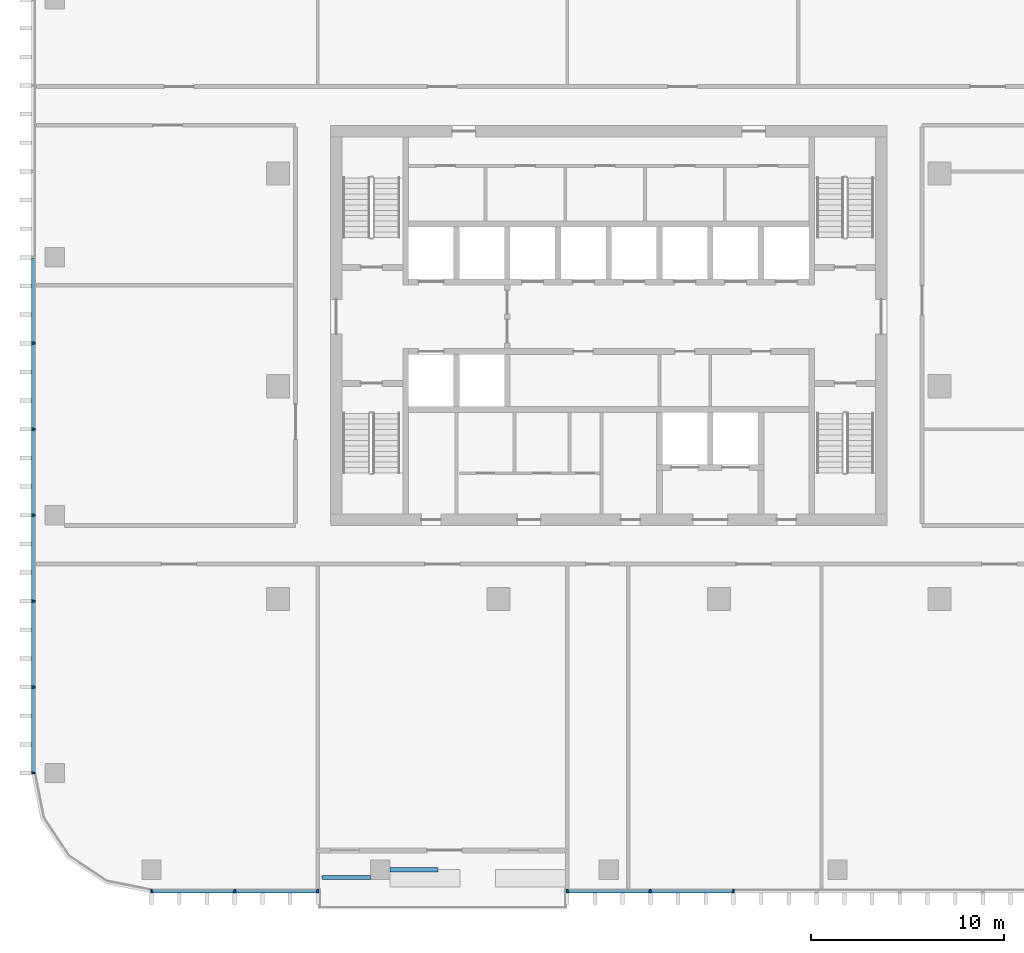
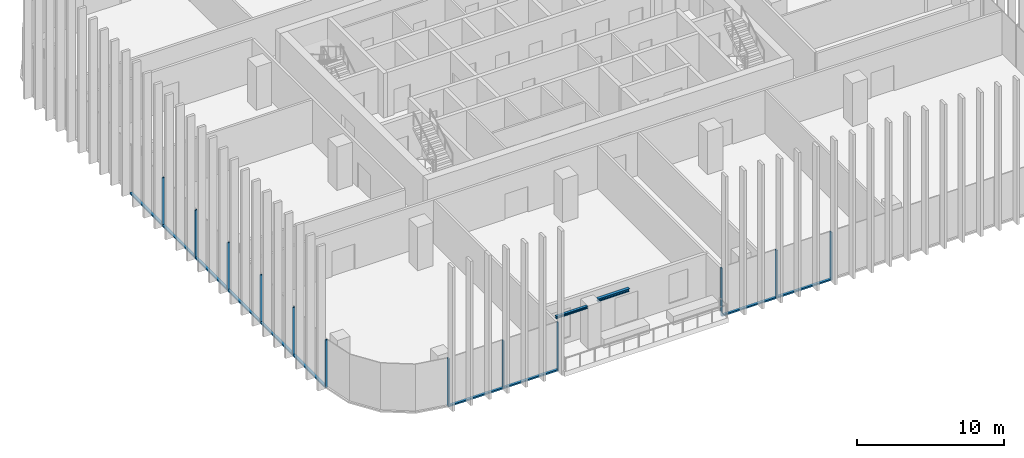
# One storey, part 2 of 16: 22 members, 2 beams, 3 elements without a shape of their own.
"""IFC4 building model written with IfcOpenShell, lengths in metres."""

from ifc_helpers import new_model, si_unit, direction, frame, origin, origin_2d, place, context, subcontext, project, spatial, rectangle, i_section, extrude, material, material_profile, profile_set, type_object, element, aggregate, save


model = new_model("IFC4")

# Units and contexts
model_context = context("Model", 3, precision=1e-05, world=origin(), true_north=direction((0.0, 1.0)))
body_context = subcontext(model_context, "Body", "Model", "MODEL_VIEW")
ifc_project = project(units=[si_unit("LENGTHUNIT", "METRE"), si_unit("AREAUNIT", "SQUARE_METRE"), si_unit("VOLUMEUNIT", "CUBIC_METRE"), si_unit("PLANEANGLEUNIT", "RADIAN"), si_unit("MASSUNIT", "GRAM", prefix="KILO")], contexts=[model_context])

# Site, building, storey
site_placement = place(None, origin())
site = spatial("IfcSite", under=ifc_project, at=site_placement, CompositionType="ELEMENT")
building_placement = place(site_placement, origin())
building = spatial("IfcBuilding", under=site, at=building_placement, Name="Mopane Tessera Tower", CompositionType="ELEMENT")
storey_placement = place(building_placement, frame((0.0, 0.0, 291.39990234375)))
storey = spatial("IfcBuildingStorey", under=building, at=storey_placement, Name="L63", CompositionType="ELEMENT", Elevation=291.39990234375)

# Curtain wall, members
ifc_material_1 = material(Name="Aluminium frame", Category="aluminium")
curtain_wall_type = type_object("IfcCurtainWallType", Name="Unitised curtain wall", PredefinedType="NOTDEFINED", material=ifc_material_1)
curtain_wall_1_placement = place(storey_placement, origin())
curtain_wall_1 = element("IfcCurtainWall", 1, at=curtain_wall_1_placement, inside=storey, type_object=curtain_wall_type, Name="e:cw:L63:S:0", PredefinedType="NOTDEFINED")
ifc_material_2 = material(Name="Aluminium frame", Category="aluminium")
ifc_material_profile_1 = material_profile(ifc_material_2, rectangle(XDim=0.10009765625, YDim=0.199951171875, at=origin_2d()))
ifc_profile_set_1 = profile_set([ifc_material_profile_1], Name="Aluminium frame")
member_type_1 = type_object("IfcMemberType", Name="Aluminium mullion 100 x 200", PredefinedType="MULLION", material=ifc_profile_set_1)
member_1_placement = place(storey_placement, frame((-23.64990234375, -26.10009765625, -0.39990234375), z_axis=(0.0, 0.0, 1.0), x_axis=(1.0, 0.0, 0.0)))
member_1 = element("IfcMember", 2, at=member_1_placement, type_object=member_type_1, Name="e:cw:L63:S:0:mu0", PredefinedType="MULLION", context=body_context, shape_type="SweptSolid", body=[
    extrude(rectangle(XDim=0.10009765625, YDim=0.199951171875, at=origin_2d()), origin(), (0.0, 0.0, 1.0), 4.0),
])
member_2_placement = place(storey_placement, frame((-19.35009765625, -26.10009765625, -0.39990234375), z_axis=(0.0, 0.0, 1.0), x_axis=(1.0, 0.0, 0.0)))
member_2 = element("IfcMember", 3, at=member_2_placement, type_object=member_type_1, Name="e:cw:L63:S:0:mu1", PredefinedType="MULLION", context=body_context, shape_type="SweptSolid", body=[
    extrude(rectangle(XDim=0.10009765625, YDim=0.199951171875, at=origin_2d()), origin(), (0.0, 0.0, 1.0), 4.0),
])
member_3_placement = place(storey_placement, frame((-15.050048828125, -26.10009765625, -0.39990234375), z_axis=(0.0, 0.0, 1.0), x_axis=(1.0, 0.0, 0.0)))
member_3 = element("IfcMember", 4, at=member_3_placement, type_object=member_type_1, Name="e:cw:L63:S:0:mu2", PredefinedType="MULLION", context=body_context, shape_type="SweptSolid", body=[
    extrude(rectangle(XDim=0.10009765625, YDim=0.199951171875, at=origin_2d()), origin(), (0.0, 0.0, 1.0), 4.0),
])

curtain_wall_2_placement = place(storey_placement, origin())
curtain_wall_2 = element("IfcCurtainWall", 5, at=curtain_wall_2_placement, inside=storey, type_object=curtain_wall_type, Name="e:cw:L63:S:5", PredefinedType="NOTDEFINED")
member_4_placement = place(storey_placement, frame((-2.14990234375, -26.10009765625, -0.39990234375), z_axis=(0.0, 0.0, 1.0), x_axis=(1.0, 0.0, 0.0)))
member_4 = element("IfcMember", 6, at=member_4_placement, type_object=member_type_1, Name="e:cw:L63:S:5:mu5", PredefinedType="MULLION", context=body_context, shape_type="SweptSolid", body=[
    extrude(rectangle(XDim=0.10009765625, YDim=0.199951171875, at=origin_2d()), origin(), (0.0, 0.0, 1.0), 4.0),
])
member_5_placement = place(storey_placement, frame((2.14990234375, -26.10009765625, -0.39990234375), z_axis=(0.0, 0.0, 1.0), x_axis=(1.0, 0.0, 0.0)))
member_5 = element("IfcMember", 7, at=member_5_placement, type_object=member_type_1, Name="e:cw:L63:S:5:mu6", PredefinedType="MULLION", context=body_context, shape_type="SweptSolid", body=[
    extrude(rectangle(XDim=0.10009765625, YDim=0.199951171875, at=origin_2d()), origin(), (0.0, 0.0, 1.0), 4.0),
])
member_6_placement = place(storey_placement, frame((6.449951171875, -26.10009765625, -0.39990234375), z_axis=(0.0, 0.0, 1.0), x_axis=(1.0, 0.0, 0.0)))
member_6 = element("IfcMember", 8, at=member_6_placement, type_object=member_type_1, Name="e:cw:L63:S:5:mu7", PredefinedType="MULLION", context=body_context, shape_type="SweptSolid", body=[
    extrude(rectangle(XDim=0.10009765625, YDim=0.199951171875, at=origin_2d()), origin(), (0.0, 0.0, 1.0), 4.0),
])

curtain_wall_3_placement = place(storey_placement, origin())
curtain_wall_3 = element("IfcCurtainWall", 9, at=curtain_wall_3_placement, inside=storey, type_object=curtain_wall_type, Name="e:cw:L63:W:0", PredefinedType="NOTDEFINED")
member_7_placement = place(storey_placement, frame((-29.75, 2.22216796875, -0.39990234375), z_axis=(0.0, 0.0, 1.0), x_axis=(0.0, -1.0, 0.0)))
member_7 = element("IfcMember", 10, at=member_7_placement, type_object=member_type_1, Name="e:cw:L63:W:0:mu4", PredefinedType="MULLION", context=body_context, shape_type="SweptSolid", body=[
    extrude(rectangle(XDim=0.10009765625, YDim=0.199951171875, at=origin_2d()), origin(), (0.0, 0.0, 1.0), 4.0),
])
member_8_placement = place(storey_placement, frame((-29.75, -2.22216796875, -0.39990234375), z_axis=(0.0, 0.0, 1.0), x_axis=(0.0, -1.0, 0.0)))
member_8 = element("IfcMember", 11, at=member_8_placement, type_object=member_type_1, Name="e:cw:L63:W:0:mu5", PredefinedType="MULLION", context=body_context, shape_type="SweptSolid", body=[
    extrude(rectangle(XDim=0.10009765625, YDim=0.199951171875, at=origin_2d()), origin(), (0.0, 0.0, 1.0), 4.0),
])
member_9_placement = place(storey_placement, frame((-29.75, -6.666748046875, -0.39990234375), z_axis=(0.0, 0.0, 1.0), x_axis=(0.0, -1.0, 0.0)))
member_9 = element("IfcMember", 12, at=member_9_placement, type_object=member_type_1, Name="e:cw:L63:W:0:mu6", PredefinedType="MULLION", context=body_context, shape_type="SweptSolid", body=[
    extrude(rectangle(XDim=0.10009765625, YDim=0.199951171875, at=origin_2d()), origin(), (0.0, 0.0, 1.0), 4.0),
])
member_10_placement = place(storey_placement, frame((-29.75, -11.111083984375, -0.39990234375), z_axis=(0.0, 0.0, 1.0), x_axis=(0.0, -1.0, 0.0)))
member_10 = element("IfcMember", 13, at=member_10_placement, type_object=member_type_1, Name="e:cw:L63:W:0:mu7", PredefinedType="MULLION", context=body_context, shape_type="SweptSolid", body=[
    extrude(rectangle(XDim=0.10009765625, YDim=0.199951171875, at=origin_2d()), origin(), (0.0, 0.0, 1.0), 4.0),
])
member_11_placement = place(storey_placement, frame((-29.75, -15.5556640625, -0.39990234375), z_axis=(0.0, 0.0, 1.0), x_axis=(0.0, -1.0, 0.0)))
member_11 = element("IfcMember", 14, at=member_11_placement, type_object=member_type_1, Name="e:cw:L63:W:0:mu8", PredefinedType="MULLION", context=body_context, shape_type="SweptSolid", body=[
    extrude(rectangle(XDim=0.10009765625, YDim=0.199951171875, at=origin_2d()), origin(), (0.0, 0.0, 1.0), 4.0),
])
member_12_placement = place(storey_placement, frame((-29.75, -20.0, -0.39990234375), z_axis=(0.0, 0.0, 1.0), x_axis=(0.0, -1.0, 0.0)))
member_12 = element("IfcMember", 15, at=member_12_placement, type_object=member_type_1, Name="e:cw:L63:W:0:mu9", PredefinedType="MULLION", context=body_context, shape_type="SweptSolid", body=[
    extrude(rectangle(XDim=0.10009765625, YDim=0.199951171875, at=origin_2d()), origin(), (0.0, 0.0, 1.0), 4.0),
])

# Member
ifc_material_3 = material(Name="Aluminium frame", Category="aluminium")
ifc_material_profile_2 = material_profile(ifc_material_3, rectangle(XDim=0.199951171875, YDim=0.1201171875, at=origin_2d()))
ifc_profile_set_2 = profile_set([ifc_material_profile_2], Name="Aluminium frame")
member_type_2 = type_object("IfcMemberType", Name="Aluminium transom 200 x 120", PredefinedType="USERDEFINED", material=ifc_profile_set_2)
member_13_placement = place(storey_placement, frame((-23.60009765625, -26.10009765625, -0.33984375), z_axis=(1.0, 0.0, 0.0), x_axis=(0.0, 1.0, 0.0)))
member_13 = element("IfcMember", 16, at=member_13_placement, type_object=member_type_2, Name="e:cw:L63:S:0:tr0", ObjectType="TRANSOM", PredefinedType="USERDEFINED", context=body_context, shape_type="SweptSolid", body=[
    extrude(rectangle(XDim=0.199951171875, YDim=0.1201171875, at=origin_2d()), origin(), (0.0, 0.0, 1.0), 4.2001953125),
])

member_14_placement = place(storey_placement, frame((-19.300048828125, -26.10009765625, -0.33984375), z_axis=(1.0, 0.0, 0.0), x_axis=(0.0, 1.0, 0.0)))
member_14 = element("IfcMember", 17, at=member_14_placement, type_object=member_type_2, Name="e:cw:L63:S:0:tr1", ObjectType="TRANSOM", PredefinedType="USERDEFINED", context=body_context, shape_type="SweptSolid", body=[
    extrude(rectangle(XDim=0.199951171875, YDim=0.1201171875, at=origin_2d()), origin(), (0.0, 0.0, 1.0), 4.199951171875),
])

aggregate(curtain_wall_1, [member_1, member_2, member_3, member_13, member_14])

member_15_placement = place(storey_placement, frame((-2.10009765625, -26.10009765625, -0.33984375), z_axis=(1.0, 0.0, 0.0), x_axis=(0.0, 1.0, 0.0)))
member_15 = element("IfcMember", 18, at=member_15_placement, type_object=member_type_2, Name="e:cw:L63:S:5:tr5", ObjectType="TRANSOM", PredefinedType="USERDEFINED", context=body_context, shape_type="SweptSolid", body=[
    extrude(rectangle(XDim=0.199951171875, YDim=0.1201171875, at=origin_2d()), origin(), (0.0, 0.0, 1.0), 4.2001953125),
])

member_16_placement = place(storey_placement, frame((2.199951171875, -26.10009765625, -0.33984375), z_axis=(1.0, 0.0, 0.0), x_axis=(0.0, 1.0, 0.0)))
member_16 = element("IfcMember", 19, at=member_16_placement, type_object=member_type_2, Name="e:cw:L63:S:5:tr6", ObjectType="TRANSOM", PredefinedType="USERDEFINED", context=body_context, shape_type="SweptSolid", body=[
    extrude(rectangle(XDim=0.199951171875, YDim=0.1201171875, at=origin_2d()), origin(), (0.0, 0.0, 1.0), 4.199951171875),
])

aggregate(curtain_wall_2, [member_4, member_5, member_6, member_15, member_16])

member_17_placement = place(storey_placement, frame((-29.75, 6.61669921875, -0.33984375), z_axis=(0.0, -1.0, 0.0), x_axis=(1.0, 0.0, 0.0)))
member_17 = element("IfcMember", 20, at=member_17_placement, type_object=member_type_2, Name="e:cw:L63:W:0:tr3", ObjectType="TRANSOM", PredefinedType="USERDEFINED", context=body_context, shape_type="SweptSolid", body=[
    extrude(rectangle(XDim=0.199951171875, YDim=0.1201171875, at=origin_2d()), origin(), (0.0, 0.0, 1.0), 4.344482421875),
])

member_18_placement = place(storey_placement, frame((-29.75, 2.172119140625, -0.33984375), z_axis=(0.0, -1.0, 0.0), x_axis=(1.0, 0.0, 0.0)))
member_18 = element("IfcMember", 21, at=member_18_placement, type_object=member_type_2, Name="e:cw:L63:W:0:tr4", ObjectType="TRANSOM", PredefinedType="USERDEFINED", context=body_context, shape_type="SweptSolid", body=[
    extrude(rectangle(XDim=0.199951171875, YDim=0.1201171875, at=origin_2d()), origin(), (0.0, 0.0, 1.0), 4.34423828125),
])

member_19_placement = place(storey_placement, frame((-29.75, -2.272216796875, -0.33984375), z_axis=(0.0, -1.0, 0.0), x_axis=(1.0, 0.0, 0.0)))
member_19 = element("IfcMember", 22, at=member_19_placement, type_object=member_type_2, Name="e:cw:L63:W:0:tr5", ObjectType="TRANSOM", PredefinedType="USERDEFINED", context=body_context, shape_type="SweptSolid", body=[
    extrude(rectangle(XDim=0.199951171875, YDim=0.1201171875, at=origin_2d()), origin(), (0.0, 0.0, 1.0), 4.344482421875),
])

member_20_placement = place(storey_placement, frame((-29.75, -6.716552734375, -0.33984375), z_axis=(0.0, -1.0, 0.0), x_axis=(1.0, 0.0, 0.0)))
member_20 = element("IfcMember", 23, at=member_20_placement, type_object=member_type_2, Name="e:cw:L63:W:0:tr6", ObjectType="TRANSOM", PredefinedType="USERDEFINED", context=body_context, shape_type="SweptSolid", body=[
    extrude(rectangle(XDim=0.199951171875, YDim=0.1201171875, at=origin_2d()), origin(), (0.0, 0.0, 1.0), 4.344482421875),
])

member_21_placement = place(storey_placement, frame((-29.75, -11.1611328125, -0.33984375), z_axis=(0.0, -1.0, 0.0), x_axis=(1.0, 0.0, 0.0)))
member_21 = element("IfcMember", 24, at=member_21_placement, type_object=member_type_2, Name="e:cw:L63:W:0:tr7", ObjectType="TRANSOM", PredefinedType="USERDEFINED", context=body_context, shape_type="SweptSolid", body=[
    extrude(rectangle(XDim=0.199951171875, YDim=0.1201171875, at=origin_2d()), origin(), (0.0, 0.0, 1.0), 4.344482421875),
])

member_22_placement = place(storey_placement, frame((-29.75, -15.60546875, -0.33984375), z_axis=(0.0, -1.0, 0.0), x_axis=(1.0, 0.0, 0.0)))
member_22 = element("IfcMember", 25, at=member_22_placement, type_object=member_type_2, Name="e:cw:L63:W:0:tr8", ObjectType="TRANSOM", PredefinedType="USERDEFINED", context=body_context, shape_type="SweptSolid", body=[
    extrude(rectangle(XDim=0.199951171875, YDim=0.1201171875, at=origin_2d()), origin(), (0.0, 0.0, 1.0), 4.344482421875),
])

aggregate(curtain_wall_3, [member_7, member_8, member_9, member_10, member_11, member_12, member_17, member_18, member_19, member_20, member_21, member_22])

# Beams
ifc_material_4 = material(Name="Structural steel S460", Category="steel")
ifc_material_profile_3 = material_profile(ifc_material_4, i_section(OverallWidth=0.239990234375, OverallDepth=0.239990234375, WebThickness=0.010009765625, FlangeThickness=0.01708984375, FilletRadius=0.02099609375, at=origin_2d()))
ifc_profile_set_3 = profile_set([ifc_material_profile_3], Name="Structural steel S460")
beam_type_1 = type_object("IfcBeamType", Name="Terrace spandrel beam HE 240 B", PredefinedType="SPANDREL", material=ifc_profile_set_3)
beam_1_placement = place(storey_placement, frame((-11.322021484375, -25.0, 3.47998046875), z_axis=(1.0, 0.0, 0.0), x_axis=(0.0, 1.0, 0.0)))
element("IfcBeam", 26, at=beam_1_placement, inside=storey, type_object=beam_type_1, Name="Terrace spandrel beam N3 L64", PredefinedType="SPANDREL", context=body_context, shape_type="SweptSolid", body=[
    extrude(i_section(OverallWidth=0.239990234375, OverallDepth=0.239990234375, WebThickness=0.010009765625, FlangeThickness=0.01708984375, FilletRadius=0.02099609375, at=origin_2d()), origin(), (0.0, 0.0, 1.0), 2.5),
])
ifc_material_5 = material(Name="Structural steel S460", Category="steel")
ifc_material_profile_4 = material_profile(ifc_material_5, i_section(OverallWidth=0.199951171875, OverallDepth=0.199951171875, WebThickness=0.009033203125, FlangeThickness=0.014892578125, FilletRadius=0.01806640625, at=origin_2d()))
ifc_profile_set_4 = profile_set([ifc_material_profile_4], Name="Structural steel S460")
beam_type_2 = type_object("IfcBeamType", Name="Terrace trimmer beam HE 200 B", PredefinedType="BEAM", material=ifc_profile_set_4)
beam_2_placement = place(storey_placement, frame((-12.327880859375, -25.39990234375, 3.5), z_axis=(-1.0, 0.0, 0.0), x_axis=(0.0, -1.0, 0.0)))
element("IfcBeam", 27, at=beam_2_placement, inside=storey, type_object=beam_type_2, Name="Terrace trimmer beam N3 L64", PredefinedType="BEAM", context=body_context, shape_type="SweptSolid", body=[
    extrude(i_section(OverallWidth=0.199951171875, OverallDepth=0.199951171875, WebThickness=0.009033203125, FlangeThickness=0.014892578125, FilletRadius=0.01806640625, at=origin_2d()), origin(), (0.0, 0.0, 1.0), 2.5),
])

save(model, "model.ifc")
